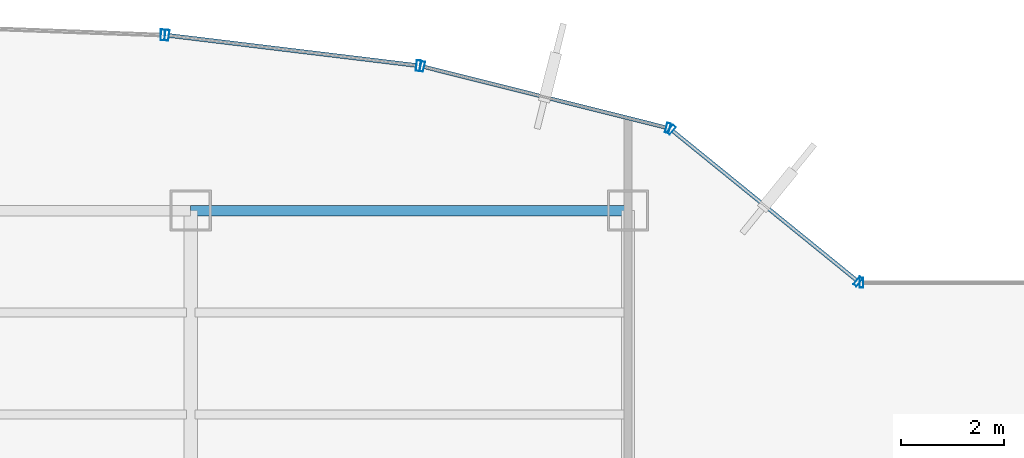
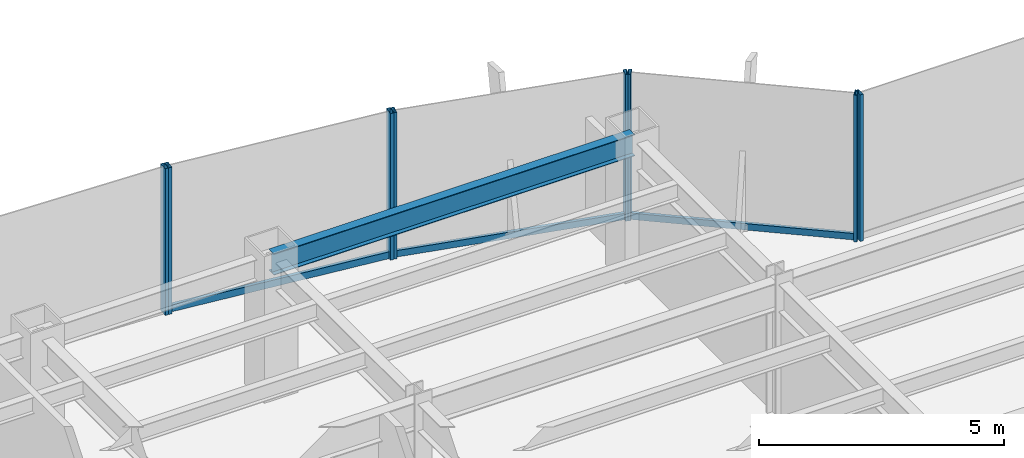
# One storey, part 18 of 26: 11 members, 1 beam, 5 elements without a shape of their own.
"""IFC4 building model written with IfcOpenShell, lengths in metres."""

from ifc_helpers import new_model, si_unit, derived_unit, direction, frame, origin, origin_2d, place, context, subcontext, project, spatial, hollow_rectangle, i_section, extrude, source, transform, mapped, material, material_profile, profile_set, type_object, element, aggregate, save


model = new_model("IFC4")

# Units and contexts
model_context = context("Model", 3, precision=1e-05, world=origin(), true_north=direction((0.0, 1.0)))
body_context = subcontext(model_context, "Body", "Model", "MODEL_VIEW")
ifc_project = project(units=[si_unit("LENGTHUNIT", "METRE"), si_unit("AREAUNIT", "SQUARE_METRE"), si_unit("VOLUMEUNIT", "CUBIC_METRE"), si_unit("PLANEANGLEUNIT", "RADIAN"), si_unit("MASSUNIT", "GRAM", prefix="KILO"), derived_unit("THERMALTRANSMITTANCEUNIT", [(si_unit("POWERUNIT", "WATT"), 1), (si_unit("LENGTHUNIT", "METRE"), -2), (si_unit("THERMODYNAMICTEMPERATUREUNIT", "KELVIN"), -1)])], contexts=[model_context])

# Site, building, storey
site_placement = place(None, origin())
site = spatial("IfcSite", under=ifc_project, at=site_placement, CompositionType="ELEMENT")
building_placement = place(site_placement, origin())
building = spatial("IfcBuilding", under=site, at=building_placement, Name="Skarnbrae Concourse Arena and Tower", CompositionType="ELEMENT")
storey_placement = place(building_placement, frame((0.0, 0.0, 117.85009765625)))
storey = spatial("IfcBuildingStorey", under=building, at=storey_placement, Name="L29", CompositionType="ELEMENT", Elevation=117.85009765625)

# Beam
ifc_material_1 = material(Name="Steel CSA G40.21 350W", Category="steel")
ifc_material_profile_1 = material_profile(ifc_material_1, i_section(OverallWidth=0.208984375, OverallDepth=0.532958984375, WebThickness=0.01025390625, FlangeThickness=0.015625, at=origin_2d()), Name="W530X92")
ifc_profile_set_1 = profile_set([ifc_material_profile_1], Name="Steel CSA G40.21 350W")
beam_type = type_object("IfcBeamType", Name="BM-SPAN-W530X92", PredefinedType="SPANDREL", material=ifc_profile_set_1)
shared_shape_1 = source(origin(), body_context, "Body", "SweptSolid", [
    extrude(i_section(OverallWidth=0.208984375, OverallDepth=0.532958984375, WebThickness=0.01025390625, FlangeThickness=0.015625, at=origin_2d()), origin(), (0.0, 0.0, 1.0), 8.5),
])
beam_placement = place(storey_placement, frame((33.5, 40.39990234375, 3.13330078125), z_axis=(1.0, 0.0, 0.0), x_axis=(0.0, 1.0, 0.0)))
element("IfcBeam", 1, at=beam_placement, inside=storey, type_object=beam_type, Name="L29 Perimeter spandrel Y40.4-4", PredefinedType="SPANDREL", context=body_context, shape_type="MappedRepresentation", body=[
    mapped(shared_shape_1, transform((0.0, 0.0, 0.0))),
])

# Curtain wall, members
ifc_material_2 = material(Name="Bronze anodised aluminium 6063-T6", Category="aluminium")
curtain_wall_type_1 = type_object("IfcCurtainWallType", Name="CW-SYS-03-PORTAL", PredefinedType="USERDEFINED", material=ifc_material_2)
curtain_wall_1_placement = place(storey_placement, origin())
curtain_wall_1 = element("IfcCurtainWall", 2, at=curtain_wall_1_placement, inside=storey, type_object=curtain_wall_type_1, Name="L29 Unitised curtain wall CW-L29-E10", ObjectType="UNITISED CURTAIN WALL", PredefinedType="USERDEFINED")
ifc_material_profile_2 = material_profile(ifc_material_2, hollow_rectangle(XDim=0.080078125, YDim=0.2099609375, WallThickness=0.00439453125, at=origin_2d()), Name="ALU-MULL-80X210")
ifc_profile_set_2 = profile_set([ifc_material_profile_2], Name="Bronze anodised aluminium 6063-T6")
member_type_1 = type_object("IfcMemberType", Name="CWM-CW-03", PredefinedType="MULLION", material=ifc_profile_set_2)
shared_shape_2 = source(origin(), body_context, "Body", "SweptSolid", [
    extrude(hollow_rectangle(XDim=0.080078125, YDim=0.2099609375, WallThickness=0.00439453125, at=origin_2d()), origin(), (0.0, 0.0, 1.0), 3.64990234375),
])
member_1_placement = place(storey_placement, frame((37.924560546875, 43.217529296875, 0.0), z_axis=(0.0, 0.0, 1.0), x_axis=(-0.992749371969, 0.120202680731, 0.0)))
member_1 = element("IfcMember", 3, at=member_1_placement, type_object=member_type_1, Name="CW-L29-E10 Mullion 1", PredefinedType="MULLION", context=body_context, shape_type="MappedRepresentation", body=[
    mapped(shared_shape_2, transform((0.0, 0.0, 0.0))),
])
member_2_placement = place(storey_placement, frame((33.03857421875, 43.80908203125, 0.0), z_axis=(0.0, 0.0, 1.0), x_axis=(-0.992749371969, 0.120202680731, 0.0)))
member_2 = element("IfcMember", 4, at=member_2_placement, type_object=member_type_1, Name="CW-L29-E10 Mullion 2", PredefinedType="MULLION", context=body_context, shape_type="MappedRepresentation", body=[
    mapped(shared_shape_2, transform((0.0, 0.0, 0.0))),
])

# Curtain wall, member
curtain_wall_2_placement = place(storey_placement, origin())
curtain_wall_2 = element("IfcCurtainWall", 5, at=curtain_wall_2_placement, inside=storey, type_object=curtain_wall_type_1, Name="L29 Unitised curtain wall CW-L29-E11", ObjectType="UNITISED CURTAIN WALL", PredefinedType="USERDEFINED")
member_3_placement = place(storey_placement, frame((32.958984375, 43.8154296875, 0.0), z_axis=(0.0, 0.0, 1.0), x_axis=(-0.999308486252, 0.037182647889, 0.0)))
member_3 = element("IfcMember", 6, at=member_3_placement, type_object=member_type_1, Name="CW-L29-E11 Mullion 1", PredefinedType="MULLION", context=body_context, shape_type="MappedRepresentation", body=[
    mapped(shared_shape_2, transform((0.0, 0.0, 0.0))),
])
aggregate(curtain_wall_2, [member_3])

curtain_wall_type_2 = type_object("IfcCurtainWallType", Name="CW-SYS-04-MIDZONE", PredefinedType="USERDEFINED", material=ifc_material_2)
curtain_wall_3_placement = place(storey_placement, origin())
curtain_wall_3 = element("IfcCurtainWall", 7, at=curtain_wall_3_placement, inside=storey, type_object=curtain_wall_type_2, Name="L29 Unitised curtain wall CW-L29-E08", ObjectType="UNITISED CURTAIN WALL", PredefinedType="USERDEFINED")
ifc_material_profile_3 = material_profile(ifc_material_2, hollow_rectangle(XDim=0.074951171875, YDim=0.159912109375, WallThickness=0.00439453125, at=origin_2d()), Name="ALU-TRAN-75X160")
ifc_profile_set_3 = profile_set([ifc_material_profile_3], Name="Bronze anodised aluminium 6063-T6")
member_type_2 = type_object("IfcMemberType", Name="CWT-CW-04", PredefinedType="USERDEFINED", material=ifc_profile_set_3)
shared_shape_3 = source(origin(), body_context, "Body", "SweptSolid", [
    extrude(hollow_rectangle(XDim=0.074951171875, YDim=0.159912109375, WallThickness=0.00439453125, at=origin_2d()), origin(), (0.0, 0.0, 1.0), 4.602294921875),
])
member_4_placement = place(storey_placement, frame((46.44189453125, 39.04736328125, 0.079833984375), z_axis=(-0.776251906445, 0.630422856297, 0.0), x_axis=(-0.630422856297, -0.776251906445, 0.0)))
member_4 = element("IfcMember", 8, at=member_4_placement, type_object=member_type_2, Name="CW-L29-E08 Transom 1", ObjectType="TRANSOM", PredefinedType="USERDEFINED", context=body_context, shape_type="MappedRepresentation", body=[
    mapped(shared_shape_3, transform((0.0, 0.0, 0.0))),
])

curtain_wall_4_placement = place(storey_placement, origin())
curtain_wall_4 = element("IfcCurtainWall", 9, at=curtain_wall_4_placement, inside=storey, type_object=curtain_wall_type_2, Name="L29 Unitised curtain wall CW-L29-E09", ObjectType="UNITISED CURTAIN WALL", PredefinedType="USERDEFINED")
shared_shape_4 = source(origin(), body_context, "Body", "SweptSolid", [
    extrude(hollow_rectangle(XDim=0.074951171875, YDim=0.159912109375, WallThickness=0.00439453125, at=origin_2d()), origin(), (0.0, 0.0, 1.0), 4.84716796875),
])
member_5_placement = place(storey_placement, frame((42.73828125, 42.014404296875, 0.079833984375), z_axis=(-0.969907992238, 0.243471736744, 0.0), x_axis=(-0.243471736744, -0.969907992238, 0.0)))
member_5 = element("IfcMember", 10, at=member_5_placement, type_object=member_type_2, Name="CW-L29-E09 Transom 1", ObjectType="TRANSOM", PredefinedType="USERDEFINED", context=body_context, shape_type="MappedRepresentation", body=[
    mapped(shared_shape_4, transform((0.0, 0.0, 0.0))),
])

curtain_wall_5_placement = place(storey_placement, origin())
curtain_wall_5 = element("IfcCurtainWall", 11, at=curtain_wall_5_placement, inside=storey, type_object=curtain_wall_type_2, Name="L29 Unitised curtain wall CW-L29-E07", ObjectType="UNITISED CURTAIN WALL", PredefinedType="USERDEFINED")
ifc_material_profile_4 = material_profile(ifc_material_2, hollow_rectangle(XDim=0.074951171875, YDim=0.195068359375, WallThickness=0.00439453125, at=origin_2d()), Name="ALU-MULL-75X195")
ifc_profile_set_4 = profile_set([ifc_material_profile_4], Name="Bronze anodised aluminium 6063-T6")
member_type_3 = type_object("IfcMemberType", Name="CWM-CW-04", PredefinedType="MULLION", material=ifc_profile_set_4)
shared_shape_5 = source(origin(), body_context, "Body", "SweptSolid", [
    extrude(hollow_rectangle(XDim=0.074951171875, YDim=0.195068359375, WallThickness=0.00439453125, at=origin_2d()), origin(), (0.0, 0.0, 1.0), 3.64990234375),
])
member_6_placement = place(storey_placement, frame((46.53759765625, 39.0, 0.0), z_axis=(0.0, 0.0, 1.0), x_axis=(-1.0, 0.0, 0.0)))
member_6 = element("IfcMember", 12, at=member_6_placement, type_object=member_type_3, Name="CW-L29-E07 Mullion 2", PredefinedType="MULLION", context=body_context, shape_type="MappedRepresentation", body=[
    mapped(shared_shape_5, transform((0.0, 0.0, 0.0))),
])
aggregate(curtain_wall_5, [member_6])

# Member
member_7_placement = place(storey_placement, frame((46.470947265625, 39.023681640625, 0.0), z_axis=(0.0, 0.0, 1.0), x_axis=(-0.776241200471, 0.630436038542, 0.0)))
member_7 = element("IfcMember", 13, at=member_7_placement, type_object=member_type_3, Name="CW-L29-E08 Mullion 1", PredefinedType="MULLION", context=body_context, shape_type="MappedRepresentation", body=[
    mapped(shared_shape_5, transform((0.0, 0.0, 0.0))),
])

member_8_placement = place(storey_placement, frame((42.840087890625, 41.972412109375, 0.0), z_axis=(0.0, 0.0, 1.0), x_axis=(-0.776241200471, 0.630436038542, 0.0)))
member_8 = element("IfcMember", 14, at=member_8_placement, type_object=member_type_3, Name="CW-L29-E08 Mullion 2", PredefinedType="MULLION", context=body_context, shape_type="MappedRepresentation", body=[
    mapped(shared_shape_5, transform((0.0, 0.0, 0.0))),
])

aggregate(curtain_wall_3, [member_7, member_8, member_4])

member_9_placement = place(storey_placement, frame((42.774658203125, 42.005126953125, 0.0), z_axis=(0.0, 0.0, 1.0), x_axis=(-0.969903046166, 0.243491439351, 0.0)))
member_9 = element("IfcMember", 15, at=member_9_placement, type_object=member_type_3, Name="CW-L29-E09 Mullion 1", PredefinedType="MULLION", context=body_context, shape_type="MappedRepresentation", body=[
    mapped(shared_shape_5, transform((0.0, 0.0, 0.0))),
])

member_10_placement = place(storey_placement, frame((38.00048828125, 43.20361328125, 0.0), z_axis=(0.0, 0.0, 1.0), x_axis=(-0.969903046166, 0.243491439351, 0.0)))
member_10 = element("IfcMember", 16, at=member_10_placement, type_object=member_type_3, Name="CW-L29-E09 Mullion 2", PredefinedType="MULLION", context=body_context, shape_type="MappedRepresentation", body=[
    mapped(shared_shape_5, transform((0.0, 0.0, 0.0))),
])

aggregate(curtain_wall_4, [member_9, member_10, member_5])

ifc_material_profile_5 = material_profile(ifc_material_2, hollow_rectangle(XDim=0.080078125, YDim=0.169921875, WallThickness=0.00439453125, at=origin_2d()), Name="ALU-TRAN-80X170")
ifc_profile_set_5 = profile_set([ifc_material_profile_5], Name="Bronze anodised aluminium 6063-T6")
member_type_4 = type_object("IfcMemberType", Name="CWT-CW-03", PredefinedType="USERDEFINED", material=ifc_profile_set_5)
shared_shape_6 = source(origin(), body_context, "Body", "SweptSolid", [
    extrude(hollow_rectangle(XDim=0.080078125, YDim=0.169921875, WallThickness=0.00439453125, at=origin_2d()), origin(), (0.0, 0.0, 1.0), 4.841552734375),
])
member_11_placement = place(storey_placement, frame((37.884765625, 43.222412109375, 0.0849609375), z_axis=(-0.992747648444, 0.120216914405, 0.0), x_axis=(-0.120216914405, -0.992747648444, 0.0)))
member_11 = element("IfcMember", 17, at=member_11_placement, type_object=member_type_4, Name="CW-L29-E10 Transom 1", ObjectType="TRANSOM", PredefinedType="USERDEFINED", context=body_context, shape_type="MappedRepresentation", body=[
    mapped(shared_shape_6, transform((0.0, 0.0, 0.0))),
])

aggregate(curtain_wall_1, [member_1, member_2, member_11])

save(model, "model.ifc")
